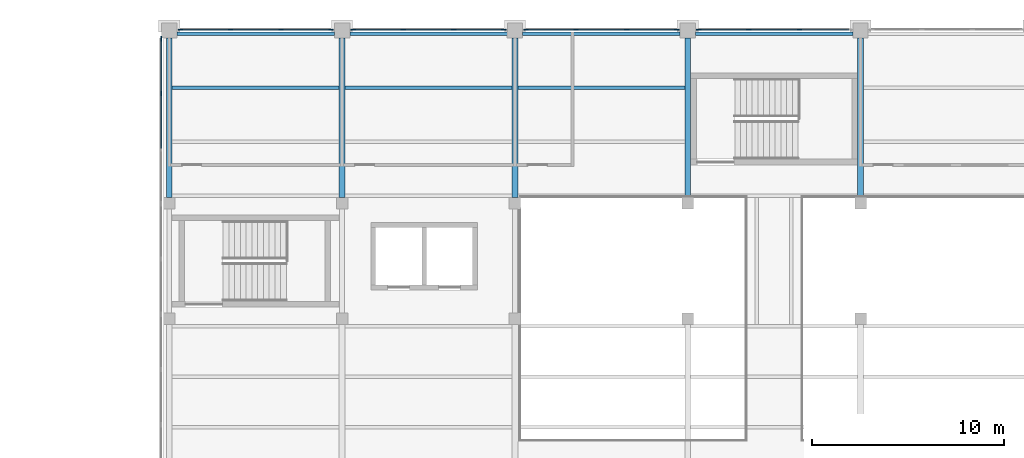
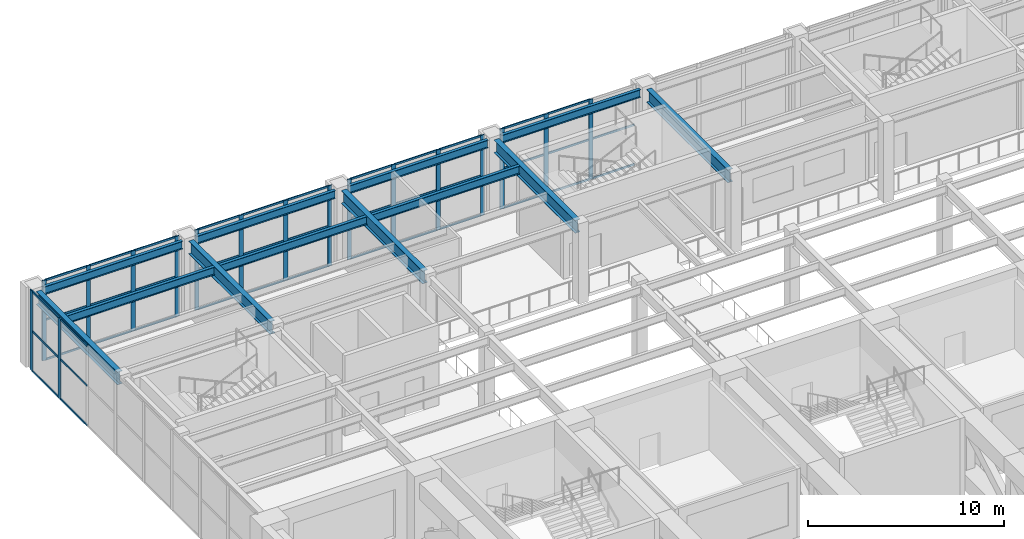
# One storey, part 22 of 76: 58 members, 12 beams, 5 elements without a shape of their own.
"""IFC4 building model written with IfcOpenShell, lengths in metres."""

from ifc_helpers import new_model, si_unit, direction, frame, origin, origin_2d, place, context, subcontext, project, spatial, rectangle, i_section, extrude, material, material_profile, profile_set, type_object, element, aggregate, save


model = new_model("IFC4")

# Units and contexts
model_context = context("Model", 3, precision=1e-05, world=origin(), true_north=direction((0.0, 1.0)))
body_context = subcontext(model_context, "Body", "Model", "MODEL_VIEW")
ifc_project = project(units=[si_unit("LENGTHUNIT", "METRE"), si_unit("AREAUNIT", "SQUARE_METRE"), si_unit("VOLUMEUNIT", "CUBIC_METRE"), si_unit("PLANEANGLEUNIT", "RADIAN"), si_unit("MASSUNIT", "GRAM", prefix="KILO")], contexts=[model_context])

# Site, building, storey
site_placement = place(None, origin())
site = spatial("IfcSite", under=ifc_project, at=site_placement, CompositionType="ELEMENT")
building_placement = place(site_placement, origin())
building = spatial("IfcBuilding", under=site, at=building_placement, Name="Aravalli Gate Trade Fair Centre", CompositionType="ELEMENT")
storey_placement = place(building_placement, frame((0.0, 0.0, 10.0)))
storey = spatial("IfcBuildingStorey", under=building, at=storey_placement, Name="L02", CompositionType="ELEMENT", Elevation=10.0)

# Curtain wall, members
ifc_material_1 = material(Name="Aluminium and glass", Category="aluminium")
curtain_wall_type = type_object("IfcCurtainWallType", Name="Curtain wall 3000 module, tall", PredefinedType="NOTDEFINED", material=ifc_material_1)
curtain_wall_1_placement = place(storey_placement, origin())
curtain_wall_1 = element("IfcCurtainWall", 1, at=curtain_wall_1_placement, inside=storey, type_object=curtain_wall_type, Name="Curtain wall north bay 1 L02", PredefinedType="NOTDEFINED")
ifc_material_2 = material(Name="Aluminium", Category="aluminium")
ifc_material_profile_1 = material_profile(ifc_material_2, rectangle(XDim=0.06005859375, YDim=0.25, at=origin_2d()), Name="Concourse curtain wall mullion 60 x 250")
ifc_profile_set_1 = profile_set([ifc_material_profile_1], Name="Aluminium")
member_type_1 = type_object("IfcMemberType", Name="Concourse curtain wall mullion 60 x 250", PredefinedType="MULLION", material=ifc_profile_set_1)
member_1_placement = place(storey_placement, frame((6.580078125, 133.044921875, 0.0), z_axis=(0.0, 0.0, 1.0), x_axis=(0.0, 1.0, 0.0)))
member_1 = element("IfcMember", 2, at=member_1_placement, type_object=member_type_1, Name="CW3 mullion 1", PredefinedType="MULLION", context=body_context, shape_type="SweptSolid", body=[
    extrude(rectangle(XDim=0.06005859375, YDim=0.25, at=origin_2d()), origin(), (0.0, 0.0, 1.0), 5.0),
])
member_2_placement = place(storey_placement, frame((9.183349609375, 133.044921875, 0.0), z_axis=(0.0, 0.0, 1.0), x_axis=(0.0, 1.0, 0.0)))
member_2 = element("IfcMember", 3, at=member_2_placement, type_object=member_type_1, Name="CW3 mullion 2", PredefinedType="MULLION", context=body_context, shape_type="SweptSolid", body=[
    extrude(rectangle(XDim=0.06005859375, YDim=0.25, at=origin_2d()), origin(), (0.0, 0.0, 1.0), 5.0),
])
member_3_placement = place(storey_placement, frame((11.816650390625, 133.044921875, 0.0), z_axis=(0.0, 0.0, 1.0), x_axis=(0.0, 1.0, 0.0)))
member_3 = element("IfcMember", 4, at=member_3_placement, type_object=member_type_1, Name="CW3 mullion 3", PredefinedType="MULLION", context=body_context, shape_type="SweptSolid", body=[
    extrude(rectangle(XDim=0.06005859375, YDim=0.25, at=origin_2d()), origin(), (0.0, 0.0, 1.0), 5.0),
])
member_4_placement = place(storey_placement, frame((14.419921875, 133.044921875, 0.0), z_axis=(0.0, 0.0, 1.0), x_axis=(0.0, 1.0, 0.0)))
member_4 = element("IfcMember", 5, at=member_4_placement, type_object=member_type_1, Name="CW3 mullion 4", PredefinedType="MULLION", context=body_context, shape_type="SweptSolid", body=[
    extrude(rectangle(XDim=0.06005859375, YDim=0.25, at=origin_2d()), origin(), (0.0, 0.0, 1.0), 5.0),
])

curtain_wall_2_placement = place(storey_placement, origin())
curtain_wall_2 = element("IfcCurtainWall", 6, at=curtain_wall_2_placement, inside=storey, type_object=curtain_wall_type, Name="Curtain wall north bay 2 L02", PredefinedType="NOTDEFINED")
member_5_placement = place(storey_placement, frame((15.580078125, 133.044921875, 0.0), z_axis=(0.0, 0.0, 1.0), x_axis=(0.0, 1.0, 0.0)))
member_5 = element("IfcMember", 7, at=member_5_placement, type_object=member_type_1, Name="CW3 mullion 1", PredefinedType="MULLION", context=body_context, shape_type="SweptSolid", body=[
    extrude(rectangle(XDim=0.06005859375, YDim=0.25, at=origin_2d()), origin(), (0.0, 0.0, 1.0), 5.0),
])
member_6_placement = place(storey_placement, frame((18.183349609375, 133.044921875, 0.0), z_axis=(0.0, 0.0, 1.0), x_axis=(0.0, 1.0, 0.0)))
member_6 = element("IfcMember", 8, at=member_6_placement, type_object=member_type_1, Name="CW3 mullion 2", PredefinedType="MULLION", context=body_context, shape_type="SweptSolid", body=[
    extrude(rectangle(XDim=0.06005859375, YDim=0.25, at=origin_2d()), origin(), (0.0, 0.0, 1.0), 5.0),
])
member_7_placement = place(storey_placement, frame((20.816650390625, 133.044921875, 0.0), z_axis=(0.0, 0.0, 1.0), x_axis=(0.0, 1.0, 0.0)))
member_7 = element("IfcMember", 9, at=member_7_placement, type_object=member_type_1, Name="CW3 mullion 3", PredefinedType="MULLION", context=body_context, shape_type="SweptSolid", body=[
    extrude(rectangle(XDim=0.06005859375, YDim=0.25, at=origin_2d()), origin(), (0.0, 0.0, 1.0), 5.0),
])
member_8_placement = place(storey_placement, frame((23.419921875, 133.044921875, 0.0), z_axis=(0.0, 0.0, 1.0), x_axis=(0.0, 1.0, 0.0)))
member_8 = element("IfcMember", 10, at=member_8_placement, type_object=member_type_1, Name="CW3 mullion 4", PredefinedType="MULLION", context=body_context, shape_type="SweptSolid", body=[
    extrude(rectangle(XDim=0.06005859375, YDim=0.25, at=origin_2d()), origin(), (0.0, 0.0, 1.0), 5.0),
])

curtain_wall_3_placement = place(storey_placement, origin())
curtain_wall_3 = element("IfcCurtainWall", 11, at=curtain_wall_3_placement, inside=storey, type_object=curtain_wall_type, Name="Curtain wall north bay 3 L02", PredefinedType="NOTDEFINED")
member_9_placement = place(storey_placement, frame((24.580078125, 133.044921875, 0.0), z_axis=(0.0, 0.0, 1.0), x_axis=(0.0, 1.0, 0.0)))
member_9 = element("IfcMember", 12, at=member_9_placement, type_object=member_type_1, Name="CW3 mullion 1", PredefinedType="MULLION", context=body_context, shape_type="SweptSolid", body=[
    extrude(rectangle(XDim=0.06005859375, YDim=0.25, at=origin_2d()), origin(), (0.0, 0.0, 1.0), 5.0),
])
member_10_placement = place(storey_placement, frame((27.183349609375, 133.044921875, 0.0), z_axis=(0.0, 0.0, 1.0), x_axis=(0.0, 1.0, 0.0)))
member_10 = element("IfcMember", 13, at=member_10_placement, type_object=member_type_1, Name="CW3 mullion 2", PredefinedType="MULLION", context=body_context, shape_type="SweptSolid", body=[
    extrude(rectangle(XDim=0.06005859375, YDim=0.25, at=origin_2d()), origin(), (0.0, 0.0, 1.0), 5.0),
])
member_11_placement = place(storey_placement, frame((29.816650390625, 133.044921875, 0.0), z_axis=(0.0, 0.0, 1.0), x_axis=(0.0, 1.0, 0.0)))
member_11 = element("IfcMember", 14, at=member_11_placement, type_object=member_type_1, Name="CW3 mullion 3", PredefinedType="MULLION", context=body_context, shape_type="SweptSolid", body=[
    extrude(rectangle(XDim=0.06005859375, YDim=0.25, at=origin_2d()), origin(), (0.0, 0.0, 1.0), 5.0),
])
member_12_placement = place(storey_placement, frame((32.419921875, 133.044921875, 0.0), z_axis=(0.0, 0.0, 1.0), x_axis=(0.0, 1.0, 0.0)))
member_12 = element("IfcMember", 15, at=member_12_placement, type_object=member_type_1, Name="CW3 mullion 4", PredefinedType="MULLION", context=body_context, shape_type="SweptSolid", body=[
    extrude(rectangle(XDim=0.06005859375, YDim=0.25, at=origin_2d()), origin(), (0.0, 0.0, 1.0), 5.0),
])

curtain_wall_4_placement = place(storey_placement, origin())
curtain_wall_4 = element("IfcCurtainWall", 16, at=curtain_wall_4_placement, inside=storey, type_object=curtain_wall_type, Name="Curtain wall north bay 4 L02", PredefinedType="NOTDEFINED")
member_13_placement = place(storey_placement, frame((33.580078125, 133.044921875, 0.0), z_axis=(0.0, 0.0, 1.0), x_axis=(0.0, 1.0, 0.0)))
member_13 = element("IfcMember", 17, at=member_13_placement, type_object=member_type_1, Name="CW3 mullion 1", PredefinedType="MULLION", context=body_context, shape_type="SweptSolid", body=[
    extrude(rectangle(XDim=0.06005859375, YDim=0.25, at=origin_2d()), origin(), (0.0, 0.0, 1.0), 5.0),
])
member_14_placement = place(storey_placement, frame((36.183349609375, 133.044921875, 0.0), z_axis=(0.0, 0.0, 1.0), x_axis=(0.0, 1.0, 0.0)))
member_14 = element("IfcMember", 18, at=member_14_placement, type_object=member_type_1, Name="CW3 mullion 2", PredefinedType="MULLION", context=body_context, shape_type="SweptSolid", body=[
    extrude(rectangle(XDim=0.06005859375, YDim=0.25, at=origin_2d()), origin(), (0.0, 0.0, 1.0), 5.0),
])
member_15_placement = place(storey_placement, frame((38.816650390625, 133.044921875, 0.0), z_axis=(0.0, 0.0, 1.0), x_axis=(0.0, 1.0, 0.0)))
member_15 = element("IfcMember", 19, at=member_15_placement, type_object=member_type_1, Name="CW3 mullion 3", PredefinedType="MULLION", context=body_context, shape_type="SweptSolid", body=[
    extrude(rectangle(XDim=0.06005859375, YDim=0.25, at=origin_2d()), origin(), (0.0, 0.0, 1.0), 5.0),
])

curtain_wall_5_placement = place(storey_placement, origin())
curtain_wall_5 = element("IfcCurtainWall", 20, at=curtain_wall_5_placement, inside=storey, type_object=curtain_wall_type, Name="Curtain wall west end L02", PredefinedType="NOTDEFINED")
member_16_placement = place(storey_placement, frame((5.574951171875, 129.72509765625, 0.0), z_axis=(0.0, 0.0, 1.0), x_axis=(-1.0, 0.0, 0.0)))
member_16 = element("IfcMember", 21, at=member_16_placement, type_object=member_type_1, Name="CW3 mullion 8", PredefinedType="MULLION", context=body_context, shape_type="SweptSolid", body=[
    extrude(rectangle(XDim=0.06005859375, YDim=0.25, at=origin_2d()), origin(), (0.0, 0.0, 1.0), 5.0),
])
member_17_placement = place(storey_placement, frame((5.574951171875, 132.570068359375, 0.0), z_axis=(0.0, 0.0, 1.0), x_axis=(-1.0, 0.0, 0.0)))
member_17 = element("IfcMember", 22, at=member_17_placement, type_object=member_type_1, Name="CW3 mullion 9", PredefinedType="MULLION", context=body_context, shape_type="SweptSolid", body=[
    extrude(rectangle(XDim=0.06005859375, YDim=0.25, at=origin_2d()), origin(), (0.0, 0.0, 1.0), 5.0),
])

# Member
ifc_material_profile_2 = material_profile(ifc_material_2, rectangle(XDim=0.06005859375, YDim=0.1201171875, at=origin_2d()), Name="Concourse curtain wall transom 60 x 120")
ifc_profile_set_2 = profile_set([ifc_material_profile_2], Name="Aluminium")
member_type_2 = type_object("IfcMemberType", Name="Concourse curtain wall transom 60 x 120", PredefinedType="USERDEFINED", material=ifc_profile_set_2)
member_18_placement = place(storey_placement, frame((6.610107421875, 133.044921875, 0.030029296875), z_axis=(1.0, 0.0, 0.0), x_axis=(0.0, 1.0, 0.0)))
member_18 = element("IfcMember", 23, at=member_18_placement, type_object=member_type_2, Name="CW3 transom 1.1", ObjectType="TRANSOM", PredefinedType="USERDEFINED", context=body_context, shape_type="SweptSolid", body=[
    extrude(rectangle(XDim=0.06005859375, YDim=0.1201171875, at=origin_2d()), origin(), (0.0, 0.0, 1.0), 2.543212890625),
])

member_19_placement = place(storey_placement, frame((6.610107421875, 133.044921875, 2.5), z_axis=(1.0, 0.0, 0.0), x_axis=(0.0, 1.0, 0.0)))
member_19 = element("IfcMember", 24, at=member_19_placement, type_object=member_type_2, Name="CW3 transom 1.2", ObjectType="TRANSOM", PredefinedType="USERDEFINED", context=body_context, shape_type="SweptSolid", body=[
    extrude(rectangle(XDim=0.06005859375, YDim=0.1201171875, at=origin_2d()), origin(), (0.0, 0.0, 1.0), 2.543212890625),
])

member_20_placement = place(storey_placement, frame((6.610107421875, 133.044921875, 4.969970703125), z_axis=(1.0, 0.0, 0.0), x_axis=(0.0, 1.0, 0.0)))
member_20 = element("IfcMember", 25, at=member_20_placement, type_object=member_type_2, Name="CW3 transom 1.3", ObjectType="TRANSOM", PredefinedType="USERDEFINED", context=body_context, shape_type="SweptSolid", body=[
    extrude(rectangle(XDim=0.06005859375, YDim=0.1201171875, at=origin_2d()), origin(), (0.0, 0.0, 1.0), 2.543212890625),
])

member_21_placement = place(storey_placement, frame((9.21337890625, 133.044921875, 0.030029296875), z_axis=(1.0, 0.0, 0.0), x_axis=(0.0, 1.0, 0.0)))
member_21 = element("IfcMember", 26, at=member_21_placement, type_object=member_type_2, Name="CW3 transom 2.1", ObjectType="TRANSOM", PredefinedType="USERDEFINED", context=body_context, shape_type="SweptSolid", body=[
    extrude(rectangle(XDim=0.06005859375, YDim=0.1201171875, at=origin_2d()), origin(), (0.0, 0.0, 1.0), 2.5732421875),
])

member_22_placement = place(storey_placement, frame((9.21337890625, 133.044921875, 2.5), z_axis=(1.0, 0.0, 0.0), x_axis=(0.0, 1.0, 0.0)))
member_22 = element("IfcMember", 27, at=member_22_placement, type_object=member_type_2, Name="CW3 transom 2.2", ObjectType="TRANSOM", PredefinedType="USERDEFINED", context=body_context, shape_type="SweptSolid", body=[
    extrude(rectangle(XDim=0.06005859375, YDim=0.1201171875, at=origin_2d()), origin(), (0.0, 0.0, 1.0), 2.5732421875),
])

member_23_placement = place(storey_placement, frame((9.21337890625, 133.044921875, 4.969970703125), z_axis=(1.0, 0.0, 0.0), x_axis=(0.0, 1.0, 0.0)))
member_23 = element("IfcMember", 28, at=member_23_placement, type_object=member_type_2, Name="CW3 transom 2.3", ObjectType="TRANSOM", PredefinedType="USERDEFINED", context=body_context, shape_type="SweptSolid", body=[
    extrude(rectangle(XDim=0.06005859375, YDim=0.1201171875, at=origin_2d()), origin(), (0.0, 0.0, 1.0), 2.5732421875),
])

member_24_placement = place(storey_placement, frame((11.8466796875, 133.044921875, 0.030029296875), z_axis=(1.0, 0.0, 0.0), x_axis=(0.0, 1.0, 0.0)))
member_24 = element("IfcMember", 29, at=member_24_placement, type_object=member_type_2, Name="CW3 transom 3.1", ObjectType="TRANSOM", PredefinedType="USERDEFINED", context=body_context, shape_type="SweptSolid", body=[
    extrude(rectangle(XDim=0.06005859375, YDim=0.1201171875, at=origin_2d()), origin(), (0.0, 0.0, 1.0), 2.543212890625),
])

member_25_placement = place(storey_placement, frame((11.8466796875, 133.044921875, 2.5), z_axis=(1.0, 0.0, 0.0), x_axis=(0.0, 1.0, 0.0)))
member_25 = element("IfcMember", 30, at=member_25_placement, type_object=member_type_2, Name="CW3 transom 3.2", ObjectType="TRANSOM", PredefinedType="USERDEFINED", context=body_context, shape_type="SweptSolid", body=[
    extrude(rectangle(XDim=0.06005859375, YDim=0.1201171875, at=origin_2d()), origin(), (0.0, 0.0, 1.0), 2.543212890625),
])

member_26_placement = place(storey_placement, frame((11.8466796875, 133.044921875, 4.969970703125), z_axis=(1.0, 0.0, 0.0), x_axis=(0.0, 1.0, 0.0)))
member_26 = element("IfcMember", 31, at=member_26_placement, type_object=member_type_2, Name="CW3 transom 3.3", ObjectType="TRANSOM", PredefinedType="USERDEFINED", context=body_context, shape_type="SweptSolid", body=[
    extrude(rectangle(XDim=0.06005859375, YDim=0.1201171875, at=origin_2d()), origin(), (0.0, 0.0, 1.0), 2.543212890625),
])

aggregate(curtain_wall_1, [member_1, member_2, member_3, member_4, member_18, member_19, member_20, member_21, member_22, member_23, member_24, member_25, member_26])

member_27_placement = place(storey_placement, frame((15.610107421875, 133.044921875, 0.030029296875), z_axis=(1.0, 0.0, 0.0), x_axis=(0.0, 1.0, 0.0)))
member_27 = element("IfcMember", 32, at=member_27_placement, type_object=member_type_2, Name="CW3 transom 1.1", ObjectType="TRANSOM", PredefinedType="USERDEFINED", context=body_context, shape_type="SweptSolid", body=[
    extrude(rectangle(XDim=0.06005859375, YDim=0.1201171875, at=origin_2d()), origin(), (0.0, 0.0, 1.0), 2.543212890625),
])

member_28_placement = place(storey_placement, frame((15.610107421875, 133.044921875, 2.5), z_axis=(1.0, 0.0, 0.0), x_axis=(0.0, 1.0, 0.0)))
member_28 = element("IfcMember", 33, at=member_28_placement, type_object=member_type_2, Name="CW3 transom 1.2", ObjectType="TRANSOM", PredefinedType="USERDEFINED", context=body_context, shape_type="SweptSolid", body=[
    extrude(rectangle(XDim=0.06005859375, YDim=0.1201171875, at=origin_2d()), origin(), (0.0, 0.0, 1.0), 2.543212890625),
])

member_29_placement = place(storey_placement, frame((15.610107421875, 133.044921875, 4.969970703125), z_axis=(1.0, 0.0, 0.0), x_axis=(0.0, 1.0, 0.0)))
member_29 = element("IfcMember", 34, at=member_29_placement, type_object=member_type_2, Name="CW3 transom 1.3", ObjectType="TRANSOM", PredefinedType="USERDEFINED", context=body_context, shape_type="SweptSolid", body=[
    extrude(rectangle(XDim=0.06005859375, YDim=0.1201171875, at=origin_2d()), origin(), (0.0, 0.0, 1.0), 2.543212890625),
])

member_30_placement = place(storey_placement, frame((18.21337890625, 133.044921875, 0.030029296875), z_axis=(1.0, 0.0, 0.0), x_axis=(0.0, 1.0, 0.0)))
member_30 = element("IfcMember", 35, at=member_30_placement, type_object=member_type_2, Name="CW3 transom 2.1", ObjectType="TRANSOM", PredefinedType="USERDEFINED", context=body_context, shape_type="SweptSolid", body=[
    extrude(rectangle(XDim=0.06005859375, YDim=0.1201171875, at=origin_2d()), origin(), (0.0, 0.0, 1.0), 2.5732421875),
])

member_31_placement = place(storey_placement, frame((18.21337890625, 133.044921875, 2.5), z_axis=(1.0, 0.0, 0.0), x_axis=(0.0, 1.0, 0.0)))
member_31 = element("IfcMember", 36, at=member_31_placement, type_object=member_type_2, Name="CW3 transom 2.2", ObjectType="TRANSOM", PredefinedType="USERDEFINED", context=body_context, shape_type="SweptSolid", body=[
    extrude(rectangle(XDim=0.06005859375, YDim=0.1201171875, at=origin_2d()), origin(), (0.0, 0.0, 1.0), 2.5732421875),
])

member_32_placement = place(storey_placement, frame((18.21337890625, 133.044921875, 4.969970703125), z_axis=(1.0, 0.0, 0.0), x_axis=(0.0, 1.0, 0.0)))
member_32 = element("IfcMember", 37, at=member_32_placement, type_object=member_type_2, Name="CW3 transom 2.3", ObjectType="TRANSOM", PredefinedType="USERDEFINED", context=body_context, shape_type="SweptSolid", body=[
    extrude(rectangle(XDim=0.06005859375, YDim=0.1201171875, at=origin_2d()), origin(), (0.0, 0.0, 1.0), 2.5732421875),
])

member_33_placement = place(storey_placement, frame((20.8466796875, 133.044921875, 0.030029296875), z_axis=(1.0, 0.0, 0.0), x_axis=(0.0, 1.0, 0.0)))
member_33 = element("IfcMember", 38, at=member_33_placement, type_object=member_type_2, Name="CW3 transom 3.1", ObjectType="TRANSOM", PredefinedType="USERDEFINED", context=body_context, shape_type="SweptSolid", body=[
    extrude(rectangle(XDim=0.06005859375, YDim=0.1201171875, at=origin_2d()), origin(), (0.0, 0.0, 1.0), 2.543212890625),
])

member_34_placement = place(storey_placement, frame((20.8466796875, 133.044921875, 2.5), z_axis=(1.0, 0.0, 0.0), x_axis=(0.0, 1.0, 0.0)))
member_34 = element("IfcMember", 39, at=member_34_placement, type_object=member_type_2, Name="CW3 transom 3.2", ObjectType="TRANSOM", PredefinedType="USERDEFINED", context=body_context, shape_type="SweptSolid", body=[
    extrude(rectangle(XDim=0.06005859375, YDim=0.1201171875, at=origin_2d()), origin(), (0.0, 0.0, 1.0), 2.543212890625),
])

member_35_placement = place(storey_placement, frame((20.8466796875, 133.044921875, 4.969970703125), z_axis=(1.0, 0.0, 0.0), x_axis=(0.0, 1.0, 0.0)))
member_35 = element("IfcMember", 40, at=member_35_placement, type_object=member_type_2, Name="CW3 transom 3.3", ObjectType="TRANSOM", PredefinedType="USERDEFINED", context=body_context, shape_type="SweptSolid", body=[
    extrude(rectangle(XDim=0.06005859375, YDim=0.1201171875, at=origin_2d()), origin(), (0.0, 0.0, 1.0), 2.543212890625),
])

aggregate(curtain_wall_2, [member_5, member_6, member_7, member_8, member_27, member_28, member_29, member_30, member_31, member_32, member_33, member_34, member_35])

member_36_placement = place(storey_placement, frame((24.610107421875, 133.044921875, 0.030029296875), z_axis=(1.0, 0.0, 0.0), x_axis=(0.0, 1.0, 0.0)))
member_36 = element("IfcMember", 41, at=member_36_placement, type_object=member_type_2, Name="CW3 transom 1.1", ObjectType="TRANSOM", PredefinedType="USERDEFINED", context=body_context, shape_type="SweptSolid", body=[
    extrude(rectangle(XDim=0.06005859375, YDim=0.1201171875, at=origin_2d()), origin(), (0.0, 0.0, 1.0), 2.543212890625),
])

member_37_placement = place(storey_placement, frame((24.610107421875, 133.044921875, 2.5), z_axis=(1.0, 0.0, 0.0), x_axis=(0.0, 1.0, 0.0)))
member_37 = element("IfcMember", 42, at=member_37_placement, type_object=member_type_2, Name="CW3 transom 1.2", ObjectType="TRANSOM", PredefinedType="USERDEFINED", context=body_context, shape_type="SweptSolid", body=[
    extrude(rectangle(XDim=0.06005859375, YDim=0.1201171875, at=origin_2d()), origin(), (0.0, 0.0, 1.0), 2.543212890625),
])

member_38_placement = place(storey_placement, frame((24.610107421875, 133.044921875, 4.969970703125), z_axis=(1.0, 0.0, 0.0), x_axis=(0.0, 1.0, 0.0)))
member_38 = element("IfcMember", 43, at=member_38_placement, type_object=member_type_2, Name="CW3 transom 1.3", ObjectType="TRANSOM", PredefinedType="USERDEFINED", context=body_context, shape_type="SweptSolid", body=[
    extrude(rectangle(XDim=0.06005859375, YDim=0.1201171875, at=origin_2d()), origin(), (0.0, 0.0, 1.0), 2.543212890625),
])

member_39_placement = place(storey_placement, frame((27.21337890625, 133.044921875, 0.030029296875), z_axis=(1.0, 0.0, 0.0), x_axis=(0.0, 1.0, 0.0)))
member_39 = element("IfcMember", 44, at=member_39_placement, type_object=member_type_2, Name="CW3 transom 2.1", ObjectType="TRANSOM", PredefinedType="USERDEFINED", context=body_context, shape_type="SweptSolid", body=[
    extrude(rectangle(XDim=0.06005859375, YDim=0.1201171875, at=origin_2d()), origin(), (0.0, 0.0, 1.0), 2.5732421875),
])

member_40_placement = place(storey_placement, frame((27.21337890625, 133.044921875, 2.5), z_axis=(1.0, 0.0, 0.0), x_axis=(0.0, 1.0, 0.0)))
member_40 = element("IfcMember", 45, at=member_40_placement, type_object=member_type_2, Name="CW3 transom 2.2", ObjectType="TRANSOM", PredefinedType="USERDEFINED", context=body_context, shape_type="SweptSolid", body=[
    extrude(rectangle(XDim=0.06005859375, YDim=0.1201171875, at=origin_2d()), origin(), (0.0, 0.0, 1.0), 2.5732421875),
])

member_41_placement = place(storey_placement, frame((27.21337890625, 133.044921875, 4.969970703125), z_axis=(1.0, 0.0, 0.0), x_axis=(0.0, 1.0, 0.0)))
member_41 = element("IfcMember", 46, at=member_41_placement, type_object=member_type_2, Name="CW3 transom 2.3", ObjectType="TRANSOM", PredefinedType="USERDEFINED", context=body_context, shape_type="SweptSolid", body=[
    extrude(rectangle(XDim=0.06005859375, YDim=0.1201171875, at=origin_2d()), origin(), (0.0, 0.0, 1.0), 2.5732421875),
])

member_42_placement = place(storey_placement, frame((29.8466796875, 133.044921875, 0.030029296875), z_axis=(1.0, 0.0, 0.0), x_axis=(0.0, 1.0, 0.0)))
member_42 = element("IfcMember", 47, at=member_42_placement, type_object=member_type_2, Name="CW3 transom 3.1", ObjectType="TRANSOM", PredefinedType="USERDEFINED", context=body_context, shape_type="SweptSolid", body=[
    extrude(rectangle(XDim=0.06005859375, YDim=0.1201171875, at=origin_2d()), origin(), (0.0, 0.0, 1.0), 2.543212890625),
])

member_43_placement = place(storey_placement, frame((29.8466796875, 133.044921875, 2.5), z_axis=(1.0, 0.0, 0.0), x_axis=(0.0, 1.0, 0.0)))
member_43 = element("IfcMember", 48, at=member_43_placement, type_object=member_type_2, Name="CW3 transom 3.2", ObjectType="TRANSOM", PredefinedType="USERDEFINED", context=body_context, shape_type="SweptSolid", body=[
    extrude(rectangle(XDim=0.06005859375, YDim=0.1201171875, at=origin_2d()), origin(), (0.0, 0.0, 1.0), 2.543212890625),
])

member_44_placement = place(storey_placement, frame((29.8466796875, 133.044921875, 4.969970703125), z_axis=(1.0, 0.0, 0.0), x_axis=(0.0, 1.0, 0.0)))
member_44 = element("IfcMember", 49, at=member_44_placement, type_object=member_type_2, Name="CW3 transom 3.3", ObjectType="TRANSOM", PredefinedType="USERDEFINED", context=body_context, shape_type="SweptSolid", body=[
    extrude(rectangle(XDim=0.06005859375, YDim=0.1201171875, at=origin_2d()), origin(), (0.0, 0.0, 1.0), 2.543212890625),
])

aggregate(curtain_wall_3, [member_9, member_10, member_11, member_12, member_36, member_37, member_38, member_39, member_40, member_41, member_42, member_43, member_44])

member_45_placement = place(storey_placement, frame((33.610107421875, 133.044921875, 0.030029296875), z_axis=(1.0, 0.0, 0.0), x_axis=(0.0, 1.0, 0.0)))
member_45 = element("IfcMember", 50, at=member_45_placement, type_object=member_type_2, Name="CW3 transom 1.1", ObjectType="TRANSOM", PredefinedType="USERDEFINED", context=body_context, shape_type="SweptSolid", body=[
    extrude(rectangle(XDim=0.06005859375, YDim=0.1201171875, at=origin_2d()), origin(), (0.0, 0.0, 1.0), 2.543212890625),
])

member_46_placement = place(storey_placement, frame((33.610107421875, 133.044921875, 2.5), z_axis=(1.0, 0.0, 0.0), x_axis=(0.0, 1.0, 0.0)))
member_46 = element("IfcMember", 51, at=member_46_placement, type_object=member_type_2, Name="CW3 transom 1.2", ObjectType="TRANSOM", PredefinedType="USERDEFINED", context=body_context, shape_type="SweptSolid", body=[
    extrude(rectangle(XDim=0.06005859375, YDim=0.1201171875, at=origin_2d()), origin(), (0.0, 0.0, 1.0), 2.543212890625),
])

member_47_placement = place(storey_placement, frame((33.610107421875, 133.044921875, 4.969970703125), z_axis=(1.0, 0.0, 0.0), x_axis=(0.0, 1.0, 0.0)))
member_47 = element("IfcMember", 52, at=member_47_placement, type_object=member_type_2, Name="CW3 transom 1.3", ObjectType="TRANSOM", PredefinedType="USERDEFINED", context=body_context, shape_type="SweptSolid", body=[
    extrude(rectangle(XDim=0.06005859375, YDim=0.1201171875, at=origin_2d()), origin(), (0.0, 0.0, 1.0), 2.543212890625),
])

member_48_placement = place(storey_placement, frame((36.21337890625, 133.044921875, 0.030029296875), z_axis=(1.0, 0.0, 0.0), x_axis=(0.0, 1.0, 0.0)))
member_48 = element("IfcMember", 53, at=member_48_placement, type_object=member_type_2, Name="CW3 transom 2.1", ObjectType="TRANSOM", PredefinedType="USERDEFINED", context=body_context, shape_type="SweptSolid", body=[
    extrude(rectangle(XDim=0.06005859375, YDim=0.1201171875, at=origin_2d()), origin(), (0.0, 0.0, 1.0), 2.5732421875),
])

member_49_placement = place(storey_placement, frame((36.21337890625, 133.044921875, 2.5), z_axis=(1.0, 0.0, 0.0), x_axis=(0.0, 1.0, 0.0)))
member_49 = element("IfcMember", 54, at=member_49_placement, type_object=member_type_2, Name="CW3 transom 2.2", ObjectType="TRANSOM", PredefinedType="USERDEFINED", context=body_context, shape_type="SweptSolid", body=[
    extrude(rectangle(XDim=0.06005859375, YDim=0.1201171875, at=origin_2d()), origin(), (0.0, 0.0, 1.0), 2.5732421875),
])

member_50_placement = place(storey_placement, frame((36.21337890625, 133.044921875, 4.969970703125), z_axis=(1.0, 0.0, 0.0), x_axis=(0.0, 1.0, 0.0)))
member_50 = element("IfcMember", 55, at=member_50_placement, type_object=member_type_2, Name="CW3 transom 2.3", ObjectType="TRANSOM", PredefinedType="USERDEFINED", context=body_context, shape_type="SweptSolid", body=[
    extrude(rectangle(XDim=0.06005859375, YDim=0.1201171875, at=origin_2d()), origin(), (0.0, 0.0, 1.0), 2.5732421875),
])

member_51_placement = place(storey_placement, frame((38.8466796875, 133.044921875, 0.030029296875), z_axis=(1.0, 0.0, 0.0), x_axis=(0.0, 1.0, 0.0)))
member_51 = element("IfcMember", 56, at=member_51_placement, type_object=member_type_2, Name="CW3 transom 3.1", ObjectType="TRANSOM", PredefinedType="USERDEFINED", context=body_context, shape_type="SweptSolid", body=[
    extrude(rectangle(XDim=0.06005859375, YDim=0.1201171875, at=origin_2d()), origin(), (0.0, 0.0, 1.0), 2.543212890625),
])

member_52_placement = place(storey_placement, frame((38.8466796875, 133.044921875, 2.5), z_axis=(1.0, 0.0, 0.0), x_axis=(0.0, 1.0, 0.0)))
member_52 = element("IfcMember", 57, at=member_52_placement, type_object=member_type_2, Name="CW3 transom 3.2", ObjectType="TRANSOM", PredefinedType="USERDEFINED", context=body_context, shape_type="SweptSolid", body=[
    extrude(rectangle(XDim=0.06005859375, YDim=0.1201171875, at=origin_2d()), origin(), (0.0, 0.0, 1.0), 2.543212890625),
])

aggregate(curtain_wall_4, [member_13, member_14, member_15, member_45, member_46, member_47, member_48, member_49, member_50, member_51, member_52])

member_53_placement = place(storey_placement, frame((5.574951171875, 126.8798828125, 0.030029296875), z_axis=(0.0, 1.0, 0.0), x_axis=(-1.0, 0.0, 0.0)))
member_53 = element("IfcMember", 58, at=member_53_placement, type_object=member_type_2, Name="CW3 transom 7.1", ObjectType="TRANSOM", PredefinedType="USERDEFINED", context=body_context, shape_type="SweptSolid", body=[
    extrude(rectangle(XDim=0.06005859375, YDim=0.1201171875, at=origin_2d()), origin(), (0.0, 0.0, 1.0), 2.815185546875),
])

member_54_placement = place(storey_placement, frame((5.574951171875, 126.8798828125, 2.5), z_axis=(0.0, 1.0, 0.0), x_axis=(-1.0, 0.0, 0.0)))
member_54 = element("IfcMember", 59, at=member_54_placement, type_object=member_type_2, Name="CW3 transom 7.2", ObjectType="TRANSOM", PredefinedType="USERDEFINED", context=body_context, shape_type="SweptSolid", body=[
    extrude(rectangle(XDim=0.06005859375, YDim=0.1201171875, at=origin_2d()), origin(), (0.0, 0.0, 1.0), 2.815185546875),
])

member_55_placement = place(storey_placement, frame((5.574951171875, 126.8798828125, 4.969970703125), z_axis=(0.0, 1.0, 0.0), x_axis=(-1.0, 0.0, 0.0)))
member_55 = element("IfcMember", 60, at=member_55_placement, type_object=member_type_2, Name="CW3 transom 7.3", ObjectType="TRANSOM", PredefinedType="USERDEFINED", context=body_context, shape_type="SweptSolid", body=[
    extrude(rectangle(XDim=0.06005859375, YDim=0.1201171875, at=origin_2d()), origin(), (0.0, 0.0, 1.0), 2.815185546875),
])

member_56_placement = place(storey_placement, frame((5.574951171875, 129.7548828125, 0.030029296875), z_axis=(0.0, 1.0, 0.0), x_axis=(-1.0, 0.0, 0.0)))
member_56 = element("IfcMember", 61, at=member_56_placement, type_object=member_type_2, Name="CW3 transom 8.1", ObjectType="TRANSOM", PredefinedType="USERDEFINED", context=body_context, shape_type="SweptSolid", body=[
    extrude(rectangle(XDim=0.06005859375, YDim=0.1201171875, at=origin_2d()), origin(), (0.0, 0.0, 1.0), 2.78515625),
])

member_57_placement = place(storey_placement, frame((5.574951171875, 129.7548828125, 2.5), z_axis=(0.0, 1.0, 0.0), x_axis=(-1.0, 0.0, 0.0)))
member_57 = element("IfcMember", 62, at=member_57_placement, type_object=member_type_2, Name="CW3 transom 8.2", ObjectType="TRANSOM", PredefinedType="USERDEFINED", context=body_context, shape_type="SweptSolid", body=[
    extrude(rectangle(XDim=0.06005859375, YDim=0.1201171875, at=origin_2d()), origin(), (0.0, 0.0, 1.0), 2.78515625),
])

member_58_placement = place(storey_placement, frame((5.574951171875, 129.7548828125, 4.969970703125), z_axis=(0.0, 1.0, 0.0), x_axis=(-1.0, 0.0, 0.0)))
member_58 = element("IfcMember", 63, at=member_58_placement, type_object=member_type_2, Name="CW3 transom 8.3", ObjectType="TRANSOM", PredefinedType="USERDEFINED", context=body_context, shape_type="SweptSolid", body=[
    extrude(rectangle(XDim=0.06005859375, YDim=0.1201171875, at=origin_2d()), origin(), (0.0, 0.0, 1.0), 2.78515625),
])

aggregate(curtain_wall_5, [member_16, member_17, member_53, member_54, member_55, member_56, member_57, member_58])

# Beams
ifc_material_3 = material(Name="Steel E350", Category="steel")
ifc_material_profile_3 = material_profile(ifc_material_3, i_section(OverallWidth=0.179931640625, OverallDepth=0.5, WebThickness=0.01025390625, FlangeThickness=0.01708984375, at=origin_2d()), Name="ISMB 500")
ifc_profile_set_3 = profile_set([ifc_material_profile_3], Name="Steel E350")
beam_type_1 = type_object("IfcBeamType", Name="ISMB 500 gallery secondary beam", PredefinedType="JOIST", material=ifc_profile_set_3)
beam_1_placement = place(storey_placement, frame((6.14990234375, 130.0166015625, 4.550048828125), z_axis=(1.0, 0.0, 0.0), x_axis=(0.0, 1.0, 0.0)))
element("IfcBeam", 64, at=beam_1_placement, inside=storey, type_object=beam_type_1, Name="Gallery beam N6 01-02 L03", PredefinedType="JOIST", context=body_context, shape_type="SweptSolid", body=[
    extrude(i_section(OverallWidth=0.179931640625, OverallDepth=0.5, WebThickness=0.01025390625, FlangeThickness=0.01708984375, at=origin_2d()), origin(), (0.0, 0.0, 1.0), 8.7001953125),
])
beam_2_placement = place(storey_placement, frame((6.39990234375, 132.830078125, 4.550048828125), z_axis=(1.0, 0.0, 0.0), x_axis=(0.0, 1.0, 0.0)))
element("IfcBeam", 65, at=beam_2_placement, inside=storey, type_object=beam_type_1, Name="Gallery beam N7 01-02 L03", PredefinedType="JOIST", context=body_context, shape_type="SweptSolid", body=[
    extrude(i_section(OverallWidth=0.179931640625, OverallDepth=0.5, WebThickness=0.01025390625, FlangeThickness=0.01708984375, at=origin_2d()), origin(), (0.0, 0.0, 1.0), 8.2001953125),
])
beam_3_placement = place(storey_placement, frame((15.14990234375, 130.0166015625, 4.550048828125), z_axis=(1.0, 0.0, 0.0), x_axis=(0.0, 1.0, 0.0)))
element("IfcBeam", 66, at=beam_3_placement, inside=storey, type_object=beam_type_1, Name="Gallery beam N6 02-03 L03", PredefinedType="JOIST", context=body_context, shape_type="SweptSolid", body=[
    extrude(i_section(OverallWidth=0.179931640625, OverallDepth=0.5, WebThickness=0.01025390625, FlangeThickness=0.01708984375, at=origin_2d()), origin(), (0.0, 0.0, 1.0), 8.7001953125),
])
beam_4_placement = place(storey_placement, frame((15.39990234375, 132.830078125, 4.550048828125), z_axis=(1.0, 0.0, 0.0), x_axis=(0.0, 1.0, 0.0)))
element("IfcBeam", 67, at=beam_4_placement, inside=storey, type_object=beam_type_1, Name="Gallery beam N7 02-03 L03", PredefinedType="JOIST", context=body_context, shape_type="SweptSolid", body=[
    extrude(i_section(OverallWidth=0.179931640625, OverallDepth=0.5, WebThickness=0.01025390625, FlangeThickness=0.01708984375, at=origin_2d()), origin(), (0.0, 0.0, 1.0), 8.2001953125),
])
beam_5_placement = place(storey_placement, frame((24.14990234375, 130.0166015625, 4.550048828125), z_axis=(1.0, 0.0, 0.0), x_axis=(0.0, 1.0, 0.0)))
element("IfcBeam", 68, at=beam_5_placement, inside=storey, type_object=beam_type_1, Name="Gallery beam N6 03-04 L03", PredefinedType="JOIST", context=body_context, shape_type="SweptSolid", body=[
    extrude(i_section(OverallWidth=0.179931640625, OverallDepth=0.5, WebThickness=0.01025390625, FlangeThickness=0.01708984375, at=origin_2d()), origin(), (0.0, 0.0, 1.0), 8.7001953125),
])
for number, where, z_axis, x_axis, name in (
    (69, (24.39990234375, 132.830078125, 4.550048828125), (1.0, 0.0, 0.0), (0.0, 1.0, 0.0), "Gallery beam N7 03-04 L03"),
    (70, (33.39990234375, 132.830078125, 4.550048828125), (1.0, 0.0, 0.0), (0.0, 1.0, 0.0), "Gallery beam N7 04-05 L03"),
):
    element("IfcBeam", number, at=place(storey_placement, frame(where, z_axis=z_axis, x_axis=x_axis)), inside=storey, type_object=beam_type_1, Name=name, PredefinedType="JOIST", context=body_context, shape_type="SweptSolid", body=[
        extrude(i_section(OverallWidth=0.179931640625, OverallDepth=0.5, WebThickness=0.01025390625, FlangeThickness=0.01708984375, at=origin_2d()), origin(), (0.0, 0.0, 1.0), 8.2001953125),
    ])
ifc_material_profile_4 = material_profile(ifc_material_3, i_section(OverallWidth=0.300048828125, OverallDepth=0.800048828125, WebThickness=0.011962890625, FlangeThickness=0.02490234375, at=origin_2d()), Name="PG 800x300x12x25")
ifc_profile_set_4 = profile_set([ifc_material_profile_4], Name="Steel E350")
beam_type_2 = type_object("IfcBeamType", Name="PG 800x300x12x25 gallery plate girder", PredefinedType="BEAM", material=ifc_profile_set_4)
for number, where, z_axis, x_axis, name in (
    (71, (6.0, 124.300048828125, 4.39990234375), (0.0, 1.0, 0.0), (-1.0, 0.0, 0.0), "Gallery girder N01 L03"),
    (72, (15.0, 124.300048828125, 4.39990234375), (0.0, 1.0, 0.0), (-1.0, 0.0, 0.0), "Gallery girder N02 L03"),
    (73, (24.0, 124.300048828125, 4.39990234375), (0.0, 1.0, 0.0), (-1.0, 0.0, 0.0), "Gallery girder N03 L03"),
    (74, (33.0, 124.300048828125, 4.39990234375), (0.0, 1.0, 0.0), (-1.0, 0.0, 0.0), "Gallery girder N04 L03"),
    (75, (42.0, 124.300048828125, 4.39990234375), (0.0, 1.0, 0.0), (-1.0, 0.0, 0.0), "Gallery girder N05 L03"),
):
    element("IfcBeam", number, at=place(storey_placement, frame(where, z_axis=z_axis, x_axis=x_axis)), inside=storey, type_object=beam_type_2, Name=name, PredefinedType="BEAM", context=body_context, shape_type="SweptSolid", body=[
        extrude(i_section(OverallWidth=0.300048828125, OverallDepth=0.800048828125, WebThickness=0.011962890625, FlangeThickness=0.02490234375, at=origin_2d()), origin(), (0.0, 0.0, 1.0), 8.300048828125),
    ])

save(model, "model.ifc")
